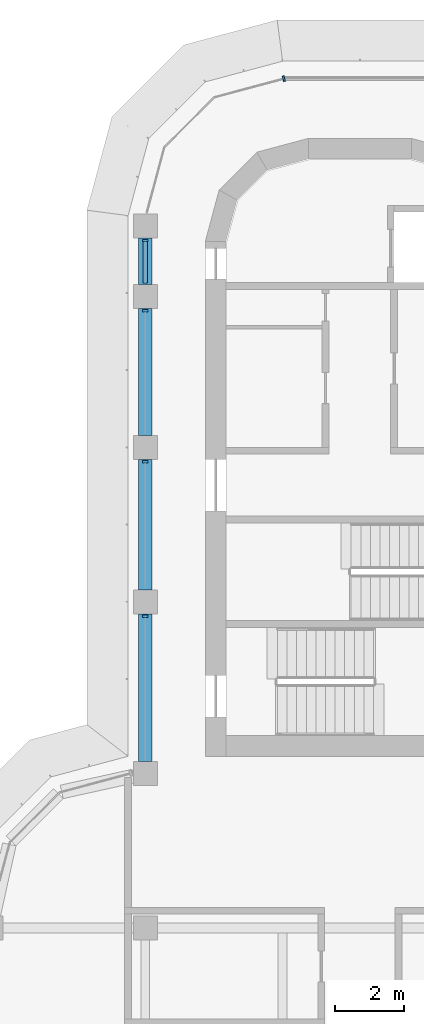
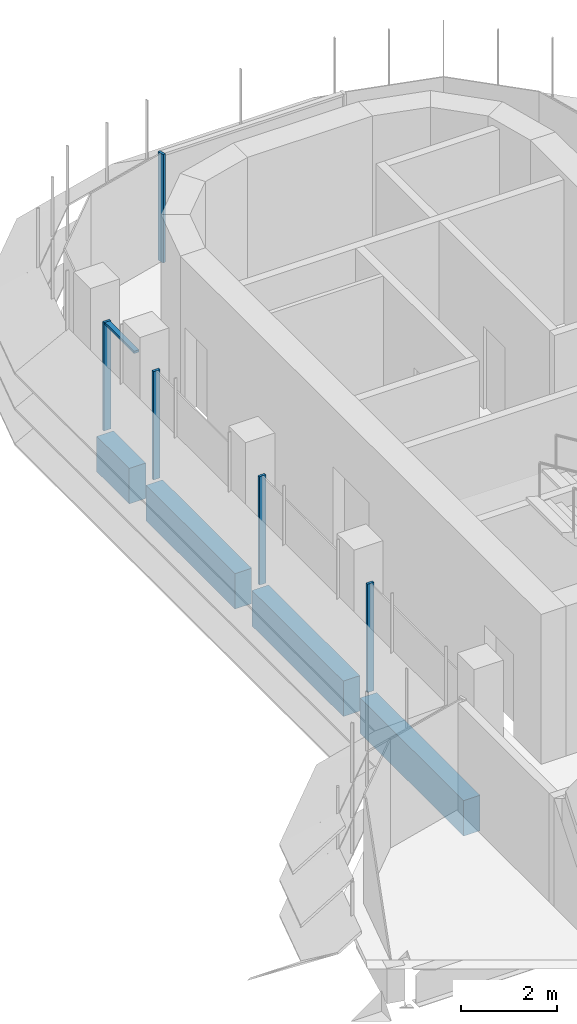
# One storey, part 7 of 19: 6 members, 4 beams, 2 elements without a shape of their own.
"""IFC4 building model written with IfcOpenShell, lengths in metres."""

from ifc_helpers import new_model, si_unit, direction, frame, origin, origin_2d, place, context, subcontext, project, spatial, polyline, rectangle, outline, extrude, source, transform, mapped, material, material_profile, profile_set, type_object, element, aggregate, save


model = new_model("IFC4")

# Units and contexts
model_context = context("Model", 3, precision=1e-05, world=origin(), true_north=direction((0.0, 1.0)))
body_context = subcontext(model_context, "Body", "Model", "MODEL_VIEW")
ifc_project = project(units=[si_unit("LENGTHUNIT", "METRE"), si_unit("AREAUNIT", "SQUARE_METRE"), si_unit("VOLUMEUNIT", "CUBIC_METRE"), si_unit("PLANEANGLEUNIT", "RADIAN"), si_unit("MASSUNIT", "GRAM", prefix="KILO")], contexts=[model_context])

# Site, building, storey
site_placement = place(None, origin())
site = spatial("IfcSite", under=ifc_project, at=site_placement, CompositionType="ELEMENT")
building_placement = place(site_placement, origin())
building = spatial("IfcBuilding", under=site, at=building_placement, Name="Zarbagh Exchange Tower", CompositionType="ELEMENT")
storey_placement = place(building_placement, frame((0.0, 0.0, 195.39990234375)))
storey = spatial("IfcBuildingStorey", under=building, at=storey_placement, Name="L47", CompositionType="ELEMENT", Elevation=195.39990234375)

# Beams
ifc_material_1 = material(Name="Concrete C50/60", Category="concrete")
ifc_material_profile = material_profile(ifc_material_1, rectangle(XDim=0.39990234375, YDim=0.89990234375, at=origin_2d()), Name="RC spandrel beam 400 x 900 C50/60")
ifc_profile_set = profile_set([ifc_material_profile], Name="Concrete C50/60")
beam_type = type_object("IfcBeamType", Name="RC spandrel beam 400 x 900 C50/60", PredefinedType="SPANDREL", material=ifc_profile_set)
beam_1_placement = place(storey_placement, frame((-6.25, 11.10009765625, -0.599853515625), z_axis=(0.0, 1.0, 0.0), x_axis=(-1.0, 0.0, 0.0)))
element("IfcBeam", 1, at=beam_1_placement, inside=storey, type_object=beam_type, Name="RC spandrel beam", PredefinedType="SPANDREL", context=body_context, shape_type="SweptSolid", body=[
    extrude(rectangle(XDim=0.39990234375, YDim=0.89990234375, at=origin_2d()), origin(), (0.0, 0.0, 1.0), 4.2998046875),
])
beam_2_placement = place(storey_placement, frame((-6.25, 16.10009765625, -0.599853515625), z_axis=(0.0, 1.0, 0.0), x_axis=(-1.0, 0.0, 0.0)))
element("IfcBeam", 2, at=beam_2_placement, inside=storey, type_object=beam_type, Name="RC spandrel beam", PredefinedType="SPANDREL", context=body_context, shape_type="SweptSolid", body=[
    extrude(rectangle(XDim=0.39990234375, YDim=0.89990234375, at=origin_2d()), origin(), (0.0, 0.0, 1.0), 3.7998046875),
])
beam_3_placement = place(storey_placement, frame((-6.25, 20.60009765625, -0.599853515625), z_axis=(0.0, 1.0, 0.0), x_axis=(-1.0, 0.0, 0.0)))
element("IfcBeam", 3, at=beam_3_placement, inside=storey, type_object=beam_type, Name="RC spandrel beam", PredefinedType="SPANDREL", context=body_context, shape_type="SweptSolid", body=[
    extrude(rectangle(XDim=0.39990234375, YDim=0.89990234375, at=origin_2d()), origin(), (0.0, 0.0, 1.0), 3.699951171875),
])
beam_4_placement = place(storey_placement, frame((-6.25, 25.0, -0.599853515625), z_axis=(0.0, 1.0, 0.0), x_axis=(-1.0, 0.0, 0.0)))
element("IfcBeam", 4, at=beam_4_placement, inside=storey, type_object=beam_type, Name="RC spandrel beam", PredefinedType="SPANDREL", context=body_context, shape_type="SweptSolid", body=[
    extrude(rectangle(XDim=0.39990234375, YDim=0.89990234375, at=origin_2d()), origin(), (0.0, 0.0, 1.0), 1.35009765625),
])

# Curtain wall, member
ifc_material_2 = material(Name="Anodised aluminium frame and glazing", Category="aluminium")
curtain_wall_type = type_object("IfcCurtainWallType", Name="CWB Ribbon glazing, upper zones", PredefinedType="NOTDEFINED", material=ifc_material_2)
curtain_wall_1_placement = place(storey_placement, origin())
curtain_wall_1 = element("IfcCurtainWall", 5, at=curtain_wall_1_placement, inside=storey, type_object=curtain_wall_type, Name="CWB25 curtain wall", PredefinedType="NOTDEFINED")
ifc_material_3 = material(Name="Anodised aluminium frame", Category="aluminium")
member_type_1 = type_object("IfcMemberType", Name="MUB Mullion, anodised aluminium frame", PredefinedType="MULLION", material=ifc_material_3)
shared_shape_1 = source(origin(), body_context, "Body", "SweptSolid", [
    extrude(outline(polyline([(0.0, -0.080078125), (0.06005859375, -0.080078125), (0.06005859375, 0.080078125), (0.0, 0.080078125), (0.0, -0.080078125)])), origin(), (0.0, 0.0, 1.0), 2.75),
])
placement = place(storey_placement, origin())
member_1 = element("IfcMember", 6, at=placement, type_object=member_type_1, Name="CWB25 mullion 1.1", PredefinedType="MULLION", context=body_context, shape_type="MappedRepresentation", body=[
    mapped(shared_shape_1, transform((-2.18408203125, 31.0, 0.0), x_axis=(-0.965924289636, -0.258824779902, 0.0), y_axis=(0.258824779902, -0.965924289636, 0.0), z_axis=(0.0, 0.0, 1.0))),
])
aggregate(curtain_wall_1, [member_1])

# Curtain wall, members
curtain_wall_2_placement = place(storey_placement, origin())
curtain_wall_2 = element("IfcCurtainWall", 7, at=curtain_wall_2_placement, inside=storey, type_object=curtain_wall_type, Name="CWB28 curtain wall", PredefinedType="NOTDEFINED")
member_2 = element("IfcMember", 8, at=placement, type_object=member_type_1, Name="CWB28 mullion 1.1", PredefinedType="MULLION", context=body_context, shape_type="MappedRepresentation", body=[
    mapped(shared_shape_1, transform((-6.25, 26.31005859375, 0.0), x_axis=(0.0, -1.0, 0.0), y_axis=(1.0, 0.0, 0.0), z_axis=(0.0, 0.0, 1.0))),
])
member_3 = element("IfcMember", 9, at=placement, type_object=member_type_1, Name="CWB28 mullion 2.1", PredefinedType="MULLION", context=body_context, shape_type="MappedRepresentation", body=[
    mapped(shared_shape_1, transform((-6.25, 24.260009765625, 0.0), x_axis=(0.0, -1.0, 0.0), y_axis=(1.0, 0.0, 0.0), z_axis=(0.0, 0.0, 1.0))),
])
member_4 = element("IfcMember", 10, at=placement, type_object=member_type_1, Name="CWB28 mullion 3.1", PredefinedType="MULLION", context=body_context, shape_type="MappedRepresentation", body=[
    mapped(shared_shape_1, transform((-6.25, 19.85986328125, 0.0), x_axis=(0.0, -1.0, 0.0), y_axis=(1.0, 0.0, 0.0), z_axis=(0.0, 0.0, 1.0))),
])
member_5 = element("IfcMember", 11, at=placement, type_object=member_type_1, Name="CWB28 mullion 4.1", PredefinedType="MULLION", context=body_context, shape_type="MappedRepresentation", body=[
    mapped(shared_shape_1, transform((-6.25, 15.35986328125, 0.0), x_axis=(0.0, -1.0, 0.0), y_axis=(1.0, 0.0, 0.0), z_axis=(0.0, 0.0, 1.0))),
])
member_type_2 = type_object("IfcMemberType", Name="TRB Transom, anodised aluminium frame", PredefinedType="USERDEFINED", material=ifc_material_3)
shared_shape_2 = source(origin(), body_context, "Body", "SweptSolid", [
    extrude(outline(polyline([(-0.06005859375, -0.06005859375), (0.0, -0.06005859375), (0.0, 0.06005859375), (-0.06005859375, 0.06005859375), (-0.06005859375, -0.06005859375)])), origin(), (0.0, 0.0, 1.0), 1.2099609375),
])
member_6 = element("IfcMember", 12, at=placement, type_object=member_type_2, Name="CWB28 transom 1.1", ObjectType="TRANSOM", PredefinedType="USERDEFINED", context=body_context, shape_type="MappedRepresentation", body=[
    mapped(shared_shape_2, transform((-6.25, 26.25, 2.75), x_axis=(0.0, 0.0, 1.0), y_axis=(-1.0, 0.0, 0.0), z_axis=(0.0, -1.0, 0.0))),
])
aggregate(curtain_wall_2, [member_2, member_6, member_3, member_4, member_5])

save(model, "model.ifc")
